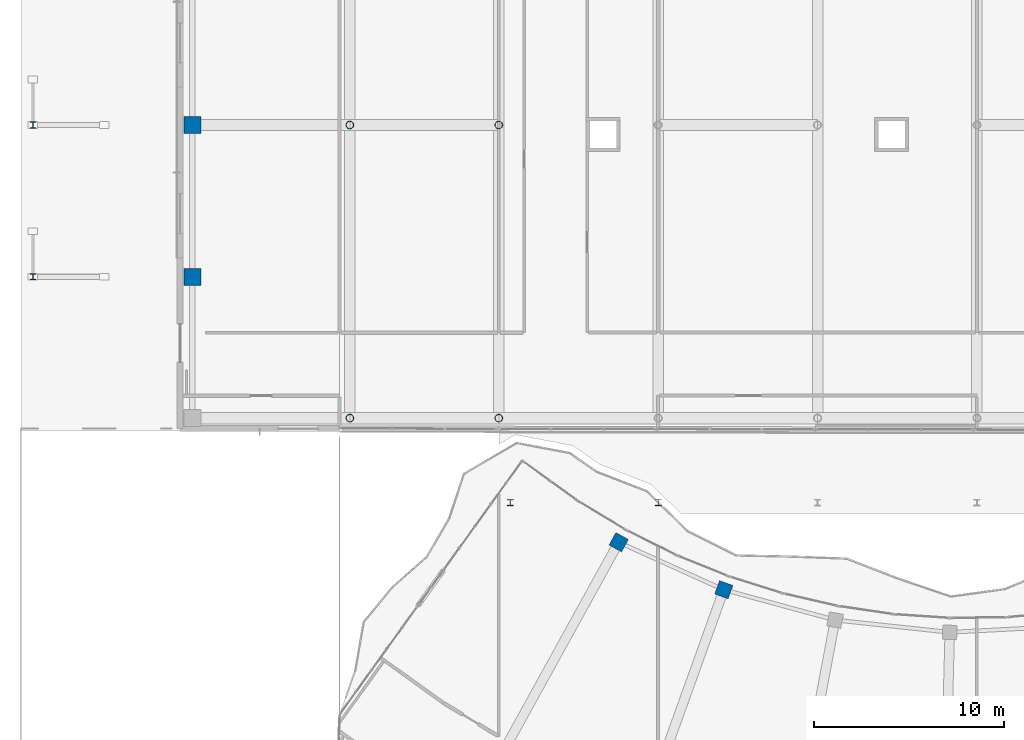
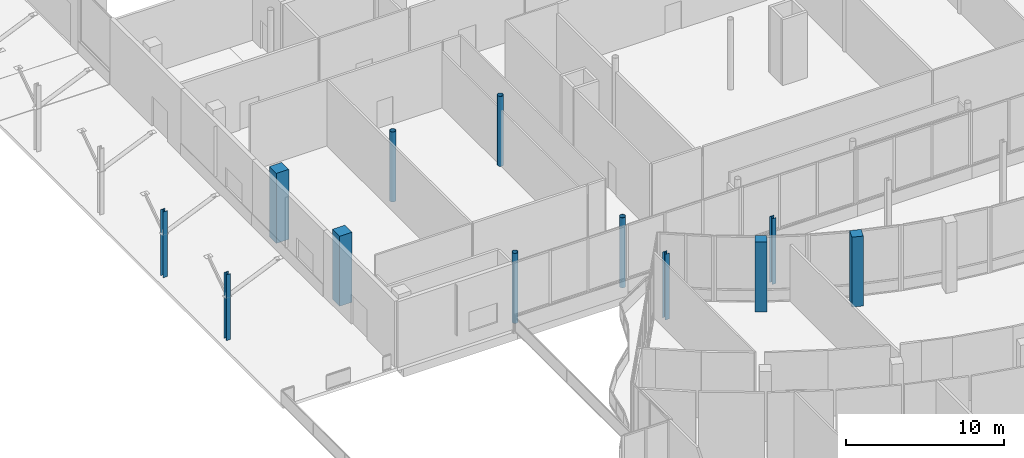
# One storey, part 2 of 158: 12 columns.
"""IFC4 building model written with IfcOpenShell, lengths in metres."""

import ifcopenshell
import ifcopenshell.guid

model = None  # the IFC model being written
_history = None  # IfcOwnerHistory: only IFC2X3 demands one
_inside = {}  # id of a spatial element -> (the spatial element, [elements in it])
_under = {}  # id of a project, library or spatial element -> (it, [spatial elements below it])
_declared = {}  # id of a project -> (the project, [libraries it declares])
_typed = {}  # id of a type object -> (the type object, [elements of that type])
_made_of = {}  # id of a material, layer set ... -> (it, [elements and type objects made of it])


def new_model(schema):
    """Start an empty IFC model of exactly this schema.

    Asked for "IFC4X3", IfcOpenShell would pick the latest addendum, in which some entities
    have other attributes; the version numbers below select the first issue.
    IFC2X3 requires an IfcOwnerHistory on every rooted entity: one is made here for all.
    """
    global model, _history
    if schema == "IFC4X3":
        model = ifcopenshell.file(schema_version=(4, 3, 0, 0))
    else:
        model = ifcopenshell.file(schema=schema)
    _inside.clear()
    _under.clear()
    _declared.clear()
    _typed.clear()
    _made_of.clear()
    _history = None
    if model.schema == "IFC2X3":
        org = make("IfcOrganization", Name="unknown")
        user = make(
            "IfcPersonAndOrganization",
            ThePerson=make("IfcPerson", FamilyName="unknown"),
            TheOrganization=org,
        )
        app = make(
            "IfcApplication",
            ApplicationDeveloper=org,
            Version="unknown",
            ApplicationFullName="unknown",
            ApplicationIdentifier="unknown",
        )
        _history = make(
            "IfcOwnerHistory",
            OwningUser=user,
            OwningApplication=app,
            ChangeAction="ADDED",
            CreationDate=0,
        )
    return model


def make(cls, **values):
    """One entity of the class cls with the attributes given. An attribute that is None is left unset."""
    return model.create_entity(
        cls, **{name: value for name, value in values.items() if value is not None}
    )


def rooted(cls, **values):
    """An entity with a GlobalId (a new one), such as an element, a storey or a relation."""
    return make(cls, GlobalId=ifcopenshell.guid.new(), OwnerHistory=_history, **values)


def si_unit(unit_type, name, prefix=None):
    """IfcSIUnit, for example si_unit("LENGTHUNIT", "METRE", prefix="MILLI")."""
    return make("IfcSIUnit", UnitType=unit_type, Prefix=prefix, Name=name)


def assignment(units):
    """IfcUnitAssignment: the units of a project."""
    return None if units is None else make("IfcUnitAssignment", Units=units)


def point(xyz):
    """IfcCartesianPoint."""
    return None if xyz is None else make("IfcCartesianPoint", Coordinates=xyz)


def direction(xyz):
    """IfcDirection."""
    return None if xyz is None else make("IfcDirection", DirectionRatios=xyz)


def frame(location, z_axis=None, x_axis=None):
    """IfcAxis2Placement3D, a coordinate frame: its origin and axes. An axis left out is left unset."""
    return make(
        "IfcAxis2Placement3D",
        Location=point(location),
        Axis=direction(z_axis),
        RefDirection=direction(x_axis),
    )


def frame_2d(location, x_axis=None):
    """IfcAxis2Placement2D, a coordinate frame in the plane: its origin and x axis."""
    return make(
        "IfcAxis2Placement2D", Location=point(location), RefDirection=direction(x_axis)
    )


def origin():
    """The frame at (0, 0, 0) with its axes left unset."""
    return frame((0.0, 0.0, 0.0))


def origin_2d():
    """The frame at (0, 0) in the plane with its x axis left unset."""
    return frame_2d((0.0, 0.0))


def place(relative_to, where):
    """IfcLocalPlacement: puts the frame where relative to a parent placement (None: the world)."""
    return make(
        "IfcLocalPlacement", PlacementRelTo=relative_to, RelativePlacement=where
    )


def context(
    kind, dimensions, precision=None, world=None, true_north=None, identifier=None
):
    """IfcGeometricRepresentationContext, for example the 3D "Model" context."""
    return make(
        "IfcGeometricRepresentationContext",
        ContextIdentifier=identifier,
        ContextType=kind,
        CoordinateSpaceDimension=dimensions,
        Precision=precision,
        WorldCoordinateSystem=world,
        TrueNorth=true_north,
    )


def subcontext(parent, identifier, kind, view, scale=None):
    """IfcGeometricRepresentationSubContext, for example "Body" below "Model"."""
    return make(
        "IfcGeometricRepresentationSubContext",
        ContextIdentifier=identifier,
        ContextType=kind,
        ParentContext=parent,
        TargetScale=scale,
        TargetView=view,
    )


def project(units=None, contexts=None):
    """IfcProject with its units and contexts."""
    return rooted(
        "IfcProject",
        Name="project",
        RepresentationContexts=contexts,
        UnitsInContext=assignment(units),
    )


def spatial(cls, under=None, at=None, **own):
    """A site, building, storey or space (cls), placed at a placement, below another one or the project."""
    s = rooted(cls, ObjectPlacement=at, **own)
    if under is not None:
        _under.setdefault(under.id(), (under, []))[1].append(s)
    return s


def profile(cls, at=None, kind="AREA", **sizes):
    """A parametric profile (cls). Its sizes go by their IFC names, for example OverallWidth=200.0."""
    return make(cls, ProfileType=kind, Position=at, **sizes)


def rectangle(**sizes):
    """IfcRectangleProfileDef."""
    return profile("IfcRectangleProfileDef", **sizes)


def hollow_circle(**sizes):
    """IfcCircleHollowProfileDef."""
    return profile("IfcCircleHollowProfileDef", **sizes)


def i_section(**sizes):
    """IfcIShapeProfileDef."""
    return profile("IfcIShapeProfileDef", **sizes)


def extrude(swept, where, along, depth):
    """IfcExtrudedAreaSolid: the profile swept, set in the frame where, extruded along a direction by depth."""
    return make(
        "IfcExtrudedAreaSolid",
        SweptArea=swept,
        Position=where,
        ExtrudedDirection=direction(along),
        Depth=depth,
    )


def shape(context_of_items, identifier, shape_type, items):
    """IfcShapeRepresentation: the items that make up one representation, for example the "Body"."""
    return make(
        "IfcShapeRepresentation",
        ContextOfItems=context_of_items,
        RepresentationIdentifier=identifier,
        RepresentationType=shape_type,
        Items=items,
    )


def material(Name=None, Category=None):
    """IfcMaterial."""
    return make("IfcMaterial", Name=Name, Category=Category)


def material_profile(
    of_material, cross_section, Name=None, Category=None, Priority=None
):
    """IfcMaterialProfile: a cross section and its material."""
    return make(
        "IfcMaterialProfile",
        Name=Name,
        Material=of_material,
        Profile=cross_section,
        Priority=Priority,
        Category=Category,
    )


def profile_set(profiles, Name=None, composite=None):
    """IfcMaterialProfileSet."""
    return make(
        "IfcMaterialProfileSet",
        Name=Name,
        MaterialProfiles=profiles,
        CompositeProfile=composite,
    )


def made_of(thing, what):
    """Note that an element or type object is made of a material, layer set ...; save() writes the relation."""
    if what is not None:
        _made_of.setdefault(what.id(), (what, []))[1].append(thing)
    return thing


def type_object(cls, material=None, **own):
    """A type object (cls), such as IfcWallType, which elements share."""
    return made_of(rooted(cls, **own), material)


def element(
    cls,
    number,
    at=None,
    inside=None,
    cuts=None,
    type_object=None,
    material=None,
    context=None,
    identifier="Body",
    shape_type=None,
    held_by="IfcProductDefinitionShape",
    body=None,
    shapes=None,
    **own,
):
    """One element of the class cls, such as IfcWall. Its Tag is "e" and its number.

    at: its placement. inside: the storey or other place that contains it. cuts: it is an
    opening in that element (IfcRelVoidsElement). A single representation is given by context,
    identifier, shape_type and body (its items); several are given by shapes. held_by: the class
    of the entity that holds the representations. save() writes the other relations.
    """
    e = rooted(cls, Tag="e%d" % number, ObjectPlacement=at, **own)
    if body is not None:
        shapes = [shape(context, identifier, shape_type, body)]
    if shapes is not None:
        e.Representation = make(held_by, Representations=shapes)
    if inside is not None:
        _inside.setdefault(inside.id(), (inside, []))[1].append(e)
    if cuts is not None:
        rooted(
            "IfcRelVoidsElement", RelatingBuildingElement=cuts, RelatedOpeningElement=e
        )
    if type_object is not None:
        _typed.setdefault(type_object.id(), (type_object, []))[1].append(e)
    return made_of(e, material)


def aggregate(whole, parts):
    """IfcRelAggregates: a whole, such as a stair, and the parts it consists of."""
    return rooted("IfcRelAggregates", RelatingObject=whole, RelatedObjects=parts)


def save(model, path):
    """Write the relations noted so far, then the file.

    IfcRelAggregates (storeys below a building ...), IfcRelContainedInSpatialStructure (elements
    in a storey), IfcRelDefinesByType, IfcRelAssociatesMaterial and IfcRelDeclares: one each for
    every whole, place, type object, material and project.
    """
    for whole, parts in _under.values():
        aggregate(whole, parts)
    for where, things in _inside.values():
        rooted(
            "IfcRelContainedInSpatialStructure",
            RelatedElements=things,
            RelatingStructure=where,
        )
    for kind, things in _typed.values():
        rooted("IfcRelDefinesByType", RelatedObjects=things, RelatingType=kind)
    for what, things in _made_of.values():
        rooted("IfcRelAssociatesMaterial", RelatedObjects=things, RelatingMaterial=what)
    for by, libraries in _declared.values():
        rooted("IfcRelDeclares", RelatingContext=by, RelatedDefinitions=libraries)
    model.write(path)


model = new_model("IFC4")

# Units and contexts
model_context = context("Model", 3, precision=1e-05, world=origin(), true_north=direction((0.0, 1.0)))
body_context = subcontext(model_context, "Body", "Model", "MODEL_VIEW")
ifc_project = project(units=[si_unit("LENGTHUNIT", "METRE"), si_unit("AREAUNIT", "SQUARE_METRE"), si_unit("VOLUMEUNIT", "CUBIC_METRE"), si_unit("PLANEANGLEUNIT", "RADIAN"), si_unit("MASSUNIT", "GRAM", prefix="KILO")], contexts=[model_context])

# Site, building, storey
site_placement = place(None, origin())
site = spatial("IfcSite", under=ifc_project, at=site_placement, CompositionType="ELEMENT")
building_placement = place(site_placement, origin())
building = spatial("IfcBuilding", under=site, at=building_placement, Name="Selatvlak General Hospital", CompositionType="ELEMENT")
storey_placement = place(building_placement, origin())
storey = spatial("IfcBuildingStorey", under=building, at=storey_placement, Name="L00", CompositionType="ELEMENT", Elevation=0.0)

# Columns
ifc_material_1 = material(Name="Steel S355", Category="steel")
ifc_material_profile_1 = material_profile(ifc_material_1, hollow_circle(Radius=0.203125, WallThickness=0.01611328125, at=origin_2d()), Name="CHS 406.4x16")
ifc_profile_set_1 = profile_set([ifc_material_profile_1], Name="Steel S355")
column_type_1 = type_object("IfcColumnType", Name="COL-CHS406", PredefinedType="COLUMN", material=ifc_profile_set_1)
for number, where, z_axis, x_axis, name in (
    (1, (23.35009765625, 52.550048828125, 0.0), (0.0, 0.0, 1.0), (1.0, 0.0, 0.0), "Column 001 on L00"),
    (2, (23.35009765625, 68.0, 0.0), (0.0, 0.0, 1.0), (1.0, 0.0, 0.0), "Column 002 on L00"),
    (3, (31.199951171875, 52.550048828125, 0.0), (0.0, 0.0, 1.0), (1.0, 0.0, 0.0), "Column 004 on L00"),
    (4, (31.199951171875, 68.0, 0.0), (0.0, 0.0, 1.0), (1.0, 0.0, 0.0), "Column 005 on L00"),
):
    element("IfcColumn", number, at=place(storey_placement, frame(where, z_axis=z_axis, x_axis=x_axis)), inside=storey, type_object=column_type_1, Name=name, PredefinedType="COLUMN", context=body_context, shape_type="SweptSolid", body=[
        extrude(hollow_circle(Radius=0.203125, WallThickness=0.01611328125, at=origin_2d()), origin(), (0.0, 0.0, 1.0), 5.39990234375),
    ])
ifc_material_2 = material(Name="Concrete C50/60", Category="concrete")
ifc_material_profile_2 = material_profile(ifc_material_2, rectangle(XDim=0.75, YDim=0.75, at=origin_2d()), Name="RC-COL 750x750")
ifc_profile_set_2 = profile_set([ifc_material_profile_2], Name="Concrete C50/60")
column_type_2 = type_object("IfcColumnType", Name="COL-RC75", PredefinedType="COLUMN", material=ifc_profile_set_2)
for number, where, z_axis, x_axis, name in (
    (5, (37.52099609375, 46.009033203125, 0.0), (0.0, 0.0, 1.0), (0.483007324118, 0.875616311434, 0.0), "Column 314 on L00"),
    (6, (43.05908203125, 43.506103515625, 0.0), (0.0, 0.0, 1.0), (0.338261654325, 0.941052099096, 0.0), "Column 316 on L00"),
):
    element("IfcColumn", number, at=place(storey_placement, frame(where, z_axis=z_axis, x_axis=x_axis)), inside=storey, type_object=column_type_2, Name=name, PredefinedType="COLUMN", context=body_context, shape_type="SweptSolid", body=[
        extrude(rectangle(XDim=0.75, YDim=0.75, at=origin_2d()), origin(), (0.0, 0.0, 1.0), 5.39990234375),
    ])
ifc_material_profile_3 = material_profile(ifc_material_2, rectangle(XDim=0.89990234375, YDim=0.89990234375, at=origin_2d()), Name="RC-COL 900x900")
ifc_profile_set_3 = profile_set([ifc_material_profile_3], Name="Concrete C50/60")
column_type_3 = type_object("IfcColumnType", Name="COL-RC90", PredefinedType="COLUMN", material=ifc_profile_set_3)
for number, where, z_axis, x_axis, name in (
    (7, (15.050048828125, 60.0, 0.0), (0.0, 0.0, 1.0), (1.0, 0.0, 0.0), "Column 062 on L00"),
    (8, (15.050048828125, 68.0, 0.0), (0.0, 0.0, 1.0), (1.0, 0.0, 0.0), "Column 064 on L00"),
):
    element("IfcColumn", number, at=place(storey_placement, frame(where, z_axis=z_axis, x_axis=x_axis)), inside=storey, type_object=column_type_3, Name=name, PredefinedType="COLUMN", context=body_context, shape_type="SweptSolid", body=[
        extrude(rectangle(XDim=0.89990234375, YDim=0.89990234375, at=origin_2d()), origin(), (0.0, 0.0, 1.0), 5.39990234375),
    ])
ifc_material_profile_4 = material_profile(ifc_material_1, i_section(OverallWidth=0.30908203125, OverallDepth=0.320556640625, WebThickness=0.013916015625, FlangeThickness=0.021728515625, at=origin_2d()), Name="UC 305x305x137")
ifc_profile_set_4 = profile_set([ifc_material_profile_4], Name="Steel S355")
column_type_4 = type_object("IfcColumnType", Name="COL-UC305", PredefinedType="COLUMN", material=ifc_profile_set_4)
for number, where, z_axis, x_axis, name in (
    (9, (6.64990234375, 60.0, 0.0), (0.0, 0.0, 1.0), (1.0, 0.0, 0.0), "Column 061 on L00"),
    (10, (6.64990234375, 68.0, 0.0), (0.0, 0.0, 1.0), (1.0, 0.0, 0.0), "Column 063 on L00"),
    (11, (31.800048828125, 48.10009765625, 0.0), (0.0, 0.0, 1.0), (1.0, 0.0, 0.0), "Column 115 on L00"),
    (12, (39.60009765625, 48.10009765625, 0.0), (0.0, 0.0, 1.0), (1.0, 0.0, 0.0), "Column 116 on L00"),
):
    element("IfcColumn", number, at=place(storey_placement, frame(where, z_axis=z_axis, x_axis=x_axis)), inside=storey, type_object=column_type_4, Name=name, PredefinedType="COLUMN", context=body_context, shape_type="SweptSolid", body=[
        extrude(i_section(OverallWidth=0.30908203125, OverallDepth=0.320556640625, WebThickness=0.013916015625, FlangeThickness=0.021728515625, at=origin_2d()), origin(), (0.0, 0.0, 1.0), 5.080078125),
    ])

save(model, "model.ifc")
